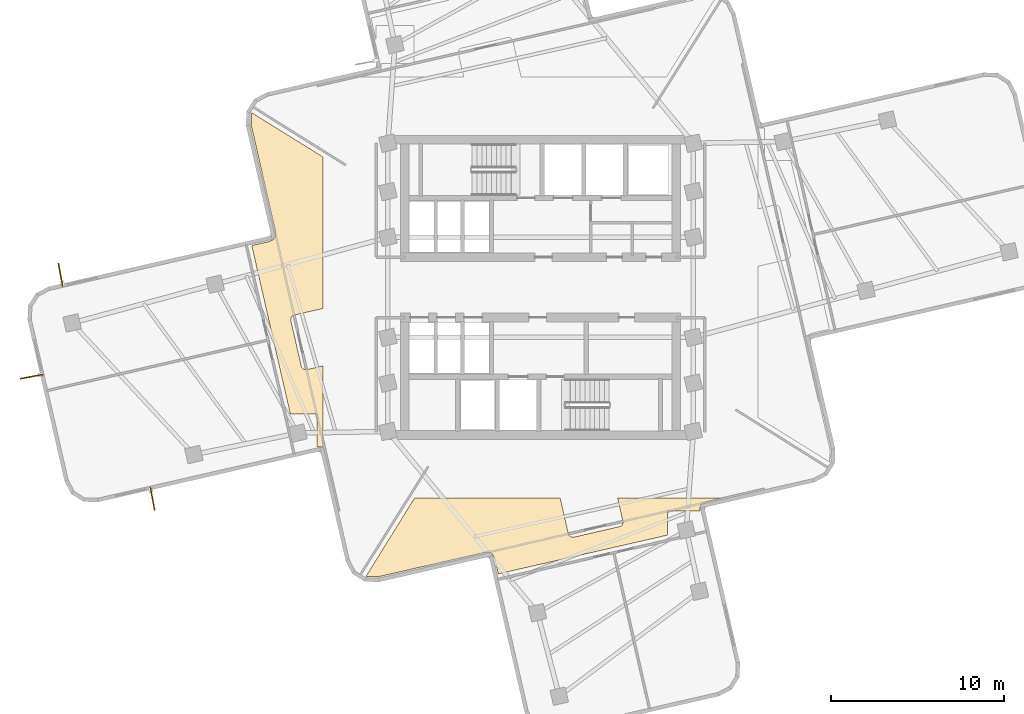
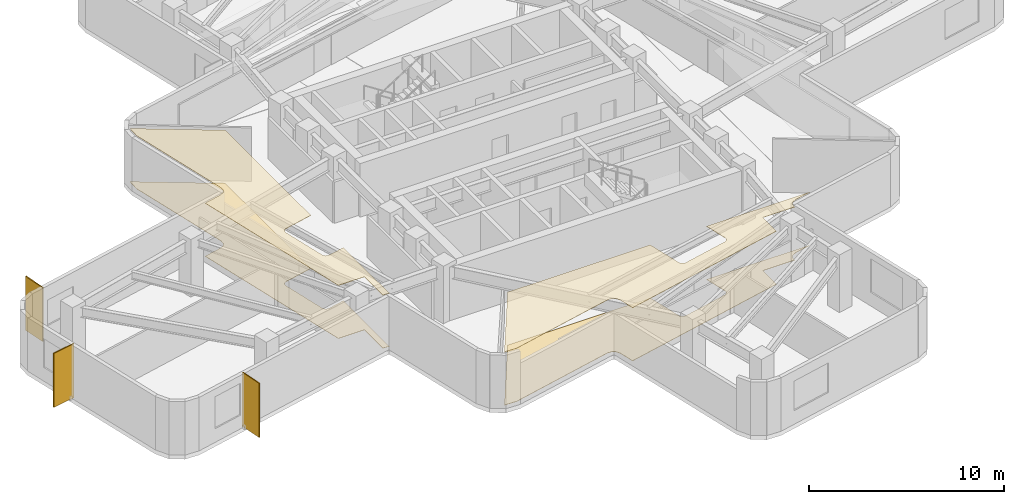
# One storey, part 6 of 7: 4 coverings, 3 shading devices.
"""IFC4 building model written with IfcOpenShell, lengths in metres."""

from ifc_helpers import new_model, si_unit, direction, frame, origin, origin_2d, place, context, subcontext, project, spatial, polyline, rectangle, outline, extrude, material, layer, layer_set, type_object, element, save


model = new_model("IFC4")

# Units and contexts
model_context = context("Model", 3, precision=1e-05, world=origin(), true_north=direction((0.0, 1.0)))
body_context = subcontext(model_context, "Body", "Model", "MODEL_VIEW")
ifc_project = project(units=[si_unit("LENGTHUNIT", "METRE"), si_unit("AREAUNIT", "SQUARE_METRE"), si_unit("VOLUMEUNIT", "CUBIC_METRE"), si_unit("PLANEANGLEUNIT", "RADIAN"), si_unit("MASSUNIT", "GRAM", prefix="KILO")], contexts=[model_context])

# Site, building, storey
site_placement = place(None, origin())
site = spatial("IfcSite", under=ifc_project, at=site_placement, CompositionType="ELEMENT")
building_placement = place(site_placement, origin())
building = spatial("IfcBuilding", under=site, at=building_placement, Name="Solmarez Civic Tower", CompositionType="ELEMENT")
storey_placement = place(building_placement, frame((0.0, 0.0, 116.280029296875)))
storey = spatial("IfcBuildingStorey", under=building, at=storey_placement, Name="L30", CompositionType="ELEMENT", Elevation=116.280029296875)

# Coverings
ifc_material_1 = material(Name="Perforated Mineral-Fibre Acoustic Ceiling")
ifc_layer_1 = layer(ifc_material_1, 0.02490234375)
ifc_layer_set_1 = layer_set([ifc_layer_1], Name="Perforated Mineral-Fibre Acoustic Ceiling")
covering_type_1 = type_object("IfcCoveringType", Name="COV-CEIL-ACOUSTIC", PredefinedType="CEILING", material=ifc_layer_set_1)
covering_1_placement = place(storey_placement, frame((0.0, 0.0, 3.31494140625)))
element("IfcCovering", 1, at=covering_1_placement, inside=storey, type_object=covering_type_1, Name="L30 Suspended Acoustic Ceiling 2", PredefinedType="CEILING", context=body_context, shape_type="SweptSolid", body=[
    extrude(outline(polyline([(-3.26708984375, -15.367919921875), (-3.25390625, -15.364013671875), (-3.23095703125, -15.360107421875), (-3.20703125, -15.35888671875), (-3.193115234375, -15.35888671875), (-3.18505859375, -15.35888671875), (-3.012939453125, -15.364990234375), (-2.993896484375, -15.366943359375), (-2.98193359375, -15.367919921875), (-2.97509765625, -15.368896484375), (-2.952880859375, -15.3740234375), (-2.945068359375, -15.3759765625), (-2.927978515625, -15.381103515625), (-2.910888671875, -15.386962890625), (-2.89697265625, -15.39306640625), (-2.87890625, -15.402099609375), (-2.862060546875, -15.412109375), (-2.85595703125, -15.416015625), (-2.8369140625, -15.429931640625), (-2.8310546875, -15.43505859375), (-2.824951171875, -15.43994140625), (-2.81005859375, -15.452880859375), (-2.797119140625, -15.468017578125), (-2.7919921875, -15.47412109375), (-2.778076171875, -15.492919921875), (-2.77001953125, -15.5048828125), (-2.759033203125, -15.52392578125), (-2.677978515625, -15.676025390625), (-2.669921875, -15.69189453125), (-2.6669921875, -15.698974609375), (-2.659912109375, -15.716064453125), (-2.657958984375, -15.721923828125), (-2.655029296875, -15.73193359375), (-2.653076171875, -15.739013671875), (-2.65087890625, -15.75), (-2.455078125, -16.60693359375), (7.344970703125, -14.363037109375), (7.344970703125, -12.964111328125), (9.23388671875, -12.962890625), (9.23388671875, -12.9560546875), (9.23388671875, -12.947998046875), (9.239990234375, -12.77587890625), (9.241943359375, -12.7529296875), (9.242919921875, -12.748046875), (9.243896484375, -12.741943359375), (9.24609375, -12.72509765625), (9.25, -12.708984375), (9.251953125, -12.701904296875), (9.261962890625, -12.675048828125), (9.264892578125, -12.66796875), (9.26806640625, -12.660888671875), (9.277099609375, -12.64306640625), (9.287109375, -12.6259765625), (9.291015625, -12.6201171875), (9.304931640625, -12.60107421875), (9.31005859375, -12.594970703125), (9.31494140625, -12.589111328125), (9.327880859375, -12.573974609375), (9.343017578125, -12.56103515625), (9.34912109375, -12.555908203125), (9.367919921875, -12.5419921875), (9.3740234375, -12.5380859375), (9.386962890625, -12.530029296875), (9.39404296875, -12.52587890625), (9.39990234375, -12.52294921875), (9.552001953125, -12.44189453125), (9.556884765625, -12.43896484375), (9.56298828125, -12.43603515625), (9.591064453125, -12.424072265625), (9.596923828125, -12.422119140625), (9.60693359375, -12.4189453125), (9.614013671875, -12.4169921875), (9.625, -12.4150390625), (10.56201171875, -12.199951171875), (4.45703125, -12.199951171875), (4.764892578125, -13.548095703125), (4.76708984375, -13.553955078125), (4.76806640625, -13.55908203125), (4.77099609375, -13.580078125), (4.77197265625, -13.60205078125), (4.77197265625, -13.611083984375), (4.77099609375, -13.633056640625), (4.76806640625, -13.654052734375), (4.76708984375, -13.658935546875), (4.76611328125, -13.6640625), (4.759033203125, -13.69091796875), (4.756103515625, -13.699951171875), (4.7470703125, -13.721923828125), (4.736083984375, -13.742919921875), (4.73291015625, -13.748046875), (4.721923828125, -13.763916015625), (4.7109375, -13.778076171875), (4.7060546875, -13.783935546875), (4.697998046875, -13.7939453125), (4.68408203125, -13.80810546875), (4.66796875, -13.821044921875), (4.652099609375, -13.8330078125), (4.64404296875, -13.837890625), (4.615966796875, -13.85205078125), (4.60693359375, -13.85595703125), (4.60009765625, -13.85888671875), (4.594970703125, -13.861083984375), (4.5791015625, -13.866943359375), (4.56201171875, -13.87109375), (1.929931640625, -14.47412109375), (1.924072265625, -14.47607421875), (1.9189453125, -14.47705078125), (1.89794921875, -14.47998046875), (1.8759765625, -14.48095703125), (1.866943359375, -14.48095703125), (1.844970703125, -14.47998046875), (1.823974609375, -14.47705078125), (1.819091796875, -14.47607421875), (1.81396484375, -14.47509765625), (1.787109375, -14.468017578125), (1.778076171875, -14.465087890625), (1.756103515625, -14.4560546875), (1.735107421875, -14.445068359375), (1.72998046875, -14.44189453125), (1.714111328125, -14.430908203125), (1.699951171875, -14.419921875), (1.694091796875, -14.4150390625), (1.68408203125, -14.406982421875), (1.669921875, -14.39306640625), (1.656982421875, -14.376953125), (1.64501953125, -14.361083984375), (1.639892578125, -14.35302734375), (1.6259765625, -14.324951171875), (1.6220703125, -14.31591796875), (1.618896484375, -14.30908203125), (1.616943359375, -14.303955078125), (1.611083984375, -14.2880859375), (1.60693359375, -14.27099609375), (1.132080078125, -12.199951171875), (-7.301025390625, -12.199951171875), (-10.116943359375, -16.742919921875), (-10.111083984375, -16.74609375), (-9.403076171875, -16.77294921875), (-3.26708984375, -15.367919921875)])), origin(), (0.0, 0.0, 1.0), 0.025146484375),
])
covering_2_placement = place(storey_placement, frame((0.0, 0.0, 3.31494140625)))
element("IfcCovering", 2, at=covering_2_placement, inside=storey, type_object=covering_type_1, Name="L30 Suspended Acoustic Ceiling 4", PredefinedType="CEILING", context=body_context, shape_type="SweptSolid", body=[
    extrude(outline(polyline([(-15.367919921875, 3.26708984375), (-15.364013671875, 3.25390625), (-15.360107421875, 3.23095703125), (-15.35888671875, 3.20703125), (-15.35888671875, 3.193115234375), (-15.35888671875, 3.18505859375), (-15.364990234375, 3.012939453125), (-15.366943359375, 2.993896484375), (-15.367919921875, 2.98193359375), (-15.368896484375, 2.97509765625), (-15.3740234375, 2.952880859375), (-15.3759765625, 2.945068359375), (-15.381103515625, 2.927978515625), (-15.386962890625, 2.910888671875), (-15.39306640625, 2.89697265625), (-15.402099609375, 2.87890625), (-15.412109375, 2.862060546875), (-15.416015625, 2.85595703125), (-15.429931640625, 2.8369140625), (-15.43505859375, 2.8310546875), (-15.43994140625, 2.824951171875), (-15.452880859375, 2.81005859375), (-15.468017578125, 2.797119140625), (-15.47412109375, 2.7919921875), (-15.492919921875, 2.778076171875), (-15.5048828125, 2.77001953125), (-15.52392578125, 2.759033203125), (-15.676025390625, 2.677978515625), (-15.69189453125, 2.669921875), (-15.698974609375, 2.6669921875), (-15.716064453125, 2.659912109375), (-15.721923828125, 2.657958984375), (-15.73193359375, 2.655029296875), (-15.739013671875, 2.653076171875), (-15.75, 2.65087890625), (-16.742919921875, 2.423095703125), (-14.506103515625, -7.344970703125), (-12.964111328125, -7.344970703125), (-12.962890625, -9.23388671875), (-12.9560546875, -9.23388671875), (-12.947998046875, -9.23388671875), (-12.77587890625, -9.239990234375), (-12.7529296875, -9.241943359375), (-12.748046875, -9.242919921875), (-12.741943359375, -9.243896484375), (-12.72509765625, -9.24609375), (-12.708984375, -9.25), (-12.701904296875, -9.251953125), (-12.675048828125, -9.261962890625), (-12.66796875, -9.264892578125), (-12.660888671875, -9.26806640625), (-12.64306640625, -9.277099609375), (-12.6259765625, -9.287109375), (-12.6201171875, -9.291015625), (-12.60009765625, -9.305908203125), (-12.60009765625, -4.548095703125), (-13.548095703125, -4.764892578125), (-13.553955078125, -4.76708984375), (-13.55908203125, -4.76806640625), (-13.580078125, -4.77099609375), (-13.60205078125, -4.77197265625), (-13.611083984375, -4.77197265625), (-13.633056640625, -4.77099609375), (-13.654052734375, -4.76806640625), (-13.658935546875, -4.76708984375), (-13.6640625, -4.76611328125), (-13.69091796875, -4.759033203125), (-13.699951171875, -4.756103515625), (-13.721923828125, -4.7470703125), (-13.742919921875, -4.736083984375), (-13.748046875, -4.73291015625), (-13.763916015625, -4.721923828125), (-13.778076171875, -4.7109375), (-13.783935546875, -4.7060546875), (-13.7939453125, -4.697998046875), (-13.80810546875, -4.68408203125), (-13.821044921875, -4.66796875), (-13.8330078125, -4.652099609375), (-13.837890625, -4.64404296875), (-13.85205078125, -4.615966796875), (-13.85595703125, -4.60693359375), (-13.85888671875, -4.60009765625), (-13.861083984375, -4.594970703125), (-13.866943359375, -4.5791015625), (-13.87109375, -4.56201171875), (-14.47412109375, -1.929931640625), (-14.47607421875, -1.924072265625), (-14.47705078125, -1.9189453125), (-14.47998046875, -1.89794921875), (-14.48095703125, -1.8759765625), (-14.48095703125, -1.866943359375), (-14.47998046875, -1.844970703125), (-14.47705078125, -1.823974609375), (-14.47607421875, -1.819091796875), (-14.47509765625, -1.81396484375), (-14.468017578125, -1.787109375), (-14.465087890625, -1.778076171875), (-14.4560546875, -1.756103515625), (-14.445068359375, -1.735107421875), (-14.44189453125, -1.72998046875), (-14.430908203125, -1.714111328125), (-14.419921875, -1.699951171875), (-14.4150390625, -1.694091796875), (-14.406982421875, -1.68408203125), (-14.39306640625, -1.669921875), (-14.376953125, -1.656982421875), (-14.361083984375, -1.64501953125), (-14.35302734375, -1.639892578125), (-14.324951171875, -1.6259765625), (-14.31591796875, -1.6220703125), (-14.30908203125, -1.618896484375), (-14.303955078125, -1.616943359375), (-14.2880859375, -1.611083984375), (-14.27099609375, -1.60693359375), (-12.60009765625, -1.222900390625), (-12.60009765625, 7.550048828125), (-16.742919921875, 10.116943359375), (-16.74609375, 10.111083984375), (-16.77294921875, 9.403076171875), (-15.367919921875, 3.26708984375)])), origin(), (0.0, 0.0, 1.0), 0.025146484375),
])
ifc_material_2 = material(Name="Polished Tropical Stone Terrazzo Flooring", Category="masonry")
ifc_layer_2 = layer(ifc_material_2, 0.02001953125)
ifc_layer_set_2 = layer_set([ifc_layer_2], Name="Polished Tropical Stone Terrazzo Flooring")
covering_type_2 = type_object("IfcCoveringType", Name="COV-FLOOR-TERRAZZO", PredefinedType="FLOORING", material=ifc_layer_set_2)
covering_3_placement = place(storey_placement, origin())
element("IfcCovering", 3, at=covering_3_placement, inside=storey, type_object=covering_type_2, Name="L30 Terrazzo Floor Finish 2", PredefinedType="FLOORING", context=body_context, shape_type="SweptSolid", body=[
    extrude(outline(polyline([(-3.26708984375, -15.367919921875), (-3.25390625, -15.364013671875), (-3.23095703125, -15.360107421875), (-3.20703125, -15.35888671875), (-3.193115234375, -15.35888671875), (-3.18505859375, -15.35888671875), (-3.012939453125, -15.364990234375), (-2.993896484375, -15.366943359375), (-2.98193359375, -15.367919921875), (-2.97509765625, -15.368896484375), (-2.952880859375, -15.3740234375), (-2.945068359375, -15.3759765625), (-2.927978515625, -15.381103515625), (-2.910888671875, -15.386962890625), (-2.89697265625, -15.39306640625), (-2.87890625, -15.402099609375), (-2.862060546875, -15.412109375), (-2.85595703125, -15.416015625), (-2.8369140625, -15.429931640625), (-2.8310546875, -15.43505859375), (-2.824951171875, -15.43994140625), (-2.81005859375, -15.452880859375), (-2.797119140625, -15.468017578125), (-2.7919921875, -15.47412109375), (-2.778076171875, -15.492919921875), (-2.77001953125, -15.5048828125), (-2.759033203125, -15.52392578125), (-2.677978515625, -15.676025390625), (-2.669921875, -15.69189453125), (-2.6669921875, -15.698974609375), (-2.659912109375, -15.716064453125), (-2.657958984375, -15.721923828125), (-2.655029296875, -15.73193359375), (-2.653076171875, -15.739013671875), (-2.65087890625, -15.75), (-2.455078125, -16.60693359375), (7.344970703125, -14.363037109375), (7.344970703125, -12.964111328125), (9.23388671875, -12.962890625), (9.23388671875, -12.9560546875), (9.23388671875, -12.947998046875), (9.239990234375, -12.77587890625), (9.241943359375, -12.7529296875), (9.242919921875, -12.748046875), (9.243896484375, -12.741943359375), (9.24609375, -12.72509765625), (9.25, -12.708984375), (9.251953125, -12.701904296875), (9.261962890625, -12.675048828125), (9.264892578125, -12.66796875), (9.26806640625, -12.660888671875), (9.277099609375, -12.64306640625), (9.287109375, -12.6259765625), (9.291015625, -12.6201171875), (9.304931640625, -12.60107421875), (9.31005859375, -12.594970703125), (9.31494140625, -12.589111328125), (9.327880859375, -12.573974609375), (9.343017578125, -12.56103515625), (9.34912109375, -12.555908203125), (9.367919921875, -12.5419921875), (9.3740234375, -12.5380859375), (9.386962890625, -12.530029296875), (9.39404296875, -12.52587890625), (9.39990234375, -12.52294921875), (9.552001953125, -12.44189453125), (9.556884765625, -12.43896484375), (9.56298828125, -12.43603515625), (9.591064453125, -12.424072265625), (9.596923828125, -12.422119140625), (9.60693359375, -12.4189453125), (9.614013671875, -12.4169921875), (9.625, -12.4150390625), (10.56201171875, -12.199951171875), (4.45703125, -12.199951171875), (4.764892578125, -13.548095703125), (4.76708984375, -13.553955078125), (4.76806640625, -13.55908203125), (4.77099609375, -13.580078125), (4.77197265625, -13.60205078125), (4.77197265625, -13.611083984375), (4.77099609375, -13.633056640625), (4.76806640625, -13.654052734375), (4.76708984375, -13.658935546875), (4.76611328125, -13.6640625), (4.759033203125, -13.69091796875), (4.756103515625, -13.699951171875), (4.7470703125, -13.721923828125), (4.736083984375, -13.742919921875), (4.73291015625, -13.748046875), (4.721923828125, -13.763916015625), (4.7109375, -13.778076171875), (4.7060546875, -13.783935546875), (4.697998046875, -13.7939453125), (4.68408203125, -13.80810546875), (4.66796875, -13.821044921875), (4.652099609375, -13.8330078125), (4.64404296875, -13.837890625), (4.615966796875, -13.85205078125), (4.60693359375, -13.85595703125), (4.60009765625, -13.85888671875), (4.594970703125, -13.861083984375), (4.5791015625, -13.866943359375), (4.56201171875, -13.87109375), (1.929931640625, -14.47412109375), (1.924072265625, -14.47607421875), (1.9189453125, -14.47705078125), (1.89794921875, -14.47998046875), (1.8759765625, -14.48095703125), (1.866943359375, -14.48095703125), (1.844970703125, -14.47998046875), (1.823974609375, -14.47705078125), (1.819091796875, -14.47607421875), (1.81396484375, -14.47509765625), (1.787109375, -14.468017578125), (1.778076171875, -14.465087890625), (1.756103515625, -14.4560546875), (1.735107421875, -14.445068359375), (1.72998046875, -14.44189453125), (1.714111328125, -14.430908203125), (1.699951171875, -14.419921875), (1.694091796875, -14.4150390625), (1.68408203125, -14.406982421875), (1.669921875, -14.39306640625), (1.656982421875, -14.376953125), (1.64501953125, -14.361083984375), (1.639892578125, -14.35302734375), (1.6259765625, -14.324951171875), (1.6220703125, -14.31591796875), (1.618896484375, -14.30908203125), (1.616943359375, -14.303955078125), (1.611083984375, -14.2880859375), (1.60693359375, -14.27099609375), (1.132080078125, -12.199951171875), (-7.301025390625, -12.199951171875), (-10.116943359375, -16.742919921875), (-10.111083984375, -16.74609375), (-9.403076171875, -16.77294921875), (-3.26708984375, -15.367919921875)])), origin(), (0.0, 0.0, 1.0), 0.02001953125),
])
covering_4_placement = place(storey_placement, origin())
element("IfcCovering", 4, at=covering_4_placement, inside=storey, type_object=covering_type_2, Name="L30 Terrazzo Floor Finish 4", PredefinedType="FLOORING", context=body_context, shape_type="SweptSolid", body=[
    extrude(outline(polyline([(-15.367919921875, 3.26708984375), (-15.364013671875, 3.25390625), (-15.360107421875, 3.23095703125), (-15.35888671875, 3.20703125), (-15.35888671875, 3.193115234375), (-15.35888671875, 3.18505859375), (-15.364990234375, 3.012939453125), (-15.366943359375, 2.993896484375), (-15.367919921875, 2.98193359375), (-15.368896484375, 2.97509765625), (-15.3740234375, 2.952880859375), (-15.3759765625, 2.945068359375), (-15.381103515625, 2.927978515625), (-15.386962890625, 2.910888671875), (-15.39306640625, 2.89697265625), (-15.402099609375, 2.87890625), (-15.412109375, 2.862060546875), (-15.416015625, 2.85595703125), (-15.429931640625, 2.8369140625), (-15.43505859375, 2.8310546875), (-15.43994140625, 2.824951171875), (-15.452880859375, 2.81005859375), (-15.468017578125, 2.797119140625), (-15.47412109375, 2.7919921875), (-15.492919921875, 2.778076171875), (-15.5048828125, 2.77001953125), (-15.52392578125, 2.759033203125), (-15.676025390625, 2.677978515625), (-15.69189453125, 2.669921875), (-15.698974609375, 2.6669921875), (-15.716064453125, 2.659912109375), (-15.721923828125, 2.657958984375), (-15.73193359375, 2.655029296875), (-15.739013671875, 2.653076171875), (-15.75, 2.65087890625), (-16.742919921875, 2.423095703125), (-14.506103515625, -7.344970703125), (-12.964111328125, -7.344970703125), (-12.962890625, -9.23388671875), (-12.9560546875, -9.23388671875), (-12.947998046875, -9.23388671875), (-12.77587890625, -9.239990234375), (-12.7529296875, -9.241943359375), (-12.748046875, -9.242919921875), (-12.741943359375, -9.243896484375), (-12.72509765625, -9.24609375), (-12.708984375, -9.25), (-12.701904296875, -9.251953125), (-12.675048828125, -9.261962890625), (-12.66796875, -9.264892578125), (-12.660888671875, -9.26806640625), (-12.64306640625, -9.277099609375), (-12.6259765625, -9.287109375), (-12.6201171875, -9.291015625), (-12.60009765625, -9.305908203125), (-12.60009765625, -4.548095703125), (-13.548095703125, -4.764892578125), (-13.553955078125, -4.76708984375), (-13.55908203125, -4.76806640625), (-13.580078125, -4.77099609375), (-13.60205078125, -4.77197265625), (-13.611083984375, -4.77197265625), (-13.633056640625, -4.77099609375), (-13.654052734375, -4.76806640625), (-13.658935546875, -4.76708984375), (-13.6640625, -4.76611328125), (-13.69091796875, -4.759033203125), (-13.699951171875, -4.756103515625), (-13.721923828125, -4.7470703125), (-13.742919921875, -4.736083984375), (-13.748046875, -4.73291015625), (-13.763916015625, -4.721923828125), (-13.778076171875, -4.7109375), (-13.783935546875, -4.7060546875), (-13.7939453125, -4.697998046875), (-13.80810546875, -4.68408203125), (-13.821044921875, -4.66796875), (-13.8330078125, -4.652099609375), (-13.837890625, -4.64404296875), (-13.85205078125, -4.615966796875), (-13.85595703125, -4.60693359375), (-13.85888671875, -4.60009765625), (-13.861083984375, -4.594970703125), (-13.866943359375, -4.5791015625), (-13.87109375, -4.56201171875), (-14.47412109375, -1.929931640625), (-14.47607421875, -1.924072265625), (-14.47705078125, -1.9189453125), (-14.47998046875, -1.89794921875), (-14.48095703125, -1.8759765625), (-14.48095703125, -1.866943359375), (-14.47998046875, -1.844970703125), (-14.47705078125, -1.823974609375), (-14.47607421875, -1.819091796875), (-14.47509765625, -1.81396484375), (-14.468017578125, -1.787109375), (-14.465087890625, -1.778076171875), (-14.4560546875, -1.756103515625), (-14.445068359375, -1.735107421875), (-14.44189453125, -1.72998046875), (-14.430908203125, -1.714111328125), (-14.419921875, -1.699951171875), (-14.4150390625, -1.694091796875), (-14.406982421875, -1.68408203125), (-14.39306640625, -1.669921875), (-14.376953125, -1.656982421875), (-14.361083984375, -1.64501953125), (-14.35302734375, -1.639892578125), (-14.324951171875, -1.6259765625), (-14.31591796875, -1.6220703125), (-14.30908203125, -1.618896484375), (-14.303955078125, -1.616943359375), (-14.2880859375, -1.611083984375), (-14.27099609375, -1.60693359375), (-12.60009765625, -1.222900390625), (-12.60009765625, 7.550048828125), (-16.742919921875, 10.116943359375), (-16.74609375, 10.111083984375), (-16.77294921875, 9.403076171875), (-15.367919921875, 3.26708984375)])), origin(), (0.0, 0.0, 1.0), 0.02001953125),
])

# Shading devices
ifc_material_3 = material(Name="Bronze Anodised Aluminium EN AW-6063 T6", Category="aluminium")
ifc_layer_3 = layer(ifc_material_3, 0.06005859375)
ifc_layer_set_3 = layer_set([ifc_layer_3], Name="Bronze Anodised Aluminium EN AW-6063 T6")
shading_device_type = type_object("IfcShadingDeviceType", Name="FIN-BRONZE-Z34", PredefinedType="USERDEFINED", material=ifc_layer_set_3)
for number, where, z_axis, x_axis, name in (
    (5, (-22.493896484375, -12.2451171875, -0.0400390625), (0.0, 0.0, 1.0), (0.18213255828, -0.983273985832, 0.0), "L30 Anodised Bronze Solar Fin FIN-L30-01"),
    (6, (-29.50390625, -5.174072265625, -0.0400390625), (0.0, 0.0, 1.0), (-0.983267627608, -0.182166880906, 0.0), "L30 Anodised Bronze Solar Fin FIN-L30-02"),
    (7, (-27.822998046875, 0.720947265625, -0.0400390625), (0.0, 0.0, 1.0), (-0.182149719621, 0.98327080687, 0.0), "L30 Anodised Bronze Solar Fin FIN-L30-03"),
):
    element("IfcShadingDevice", number, at=place(storey_placement, frame(where, z_axis=z_axis, x_axis=x_axis)), inside=storey, type_object=shading_device_type, Name=name, ObjectType="FIN", PredefinedType="USERDEFINED", context=body_context, shape_type="SweptSolid", body=[
        extrude(rectangle(XDim=1.35009765625, YDim=0.06005859375, at=origin_2d()), origin(), (0.0, 0.0, 1.0), 3.3798828125),
    ])

save(model, "model.ifc")
